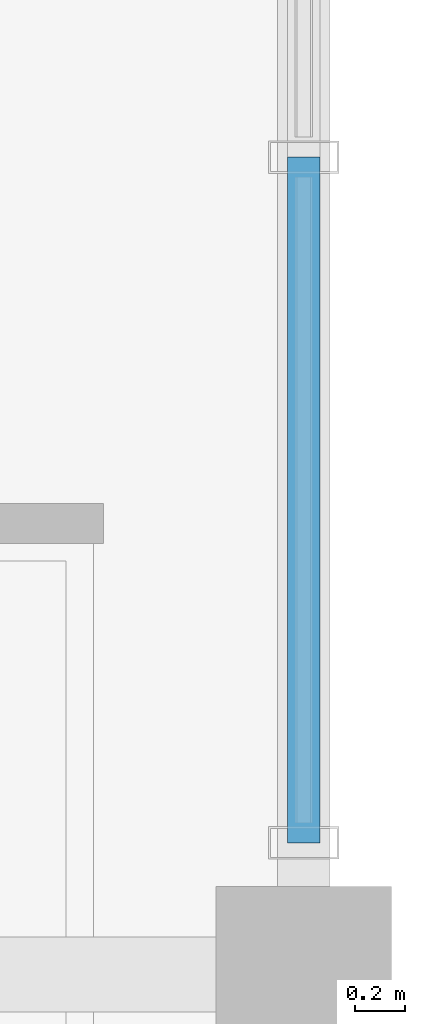
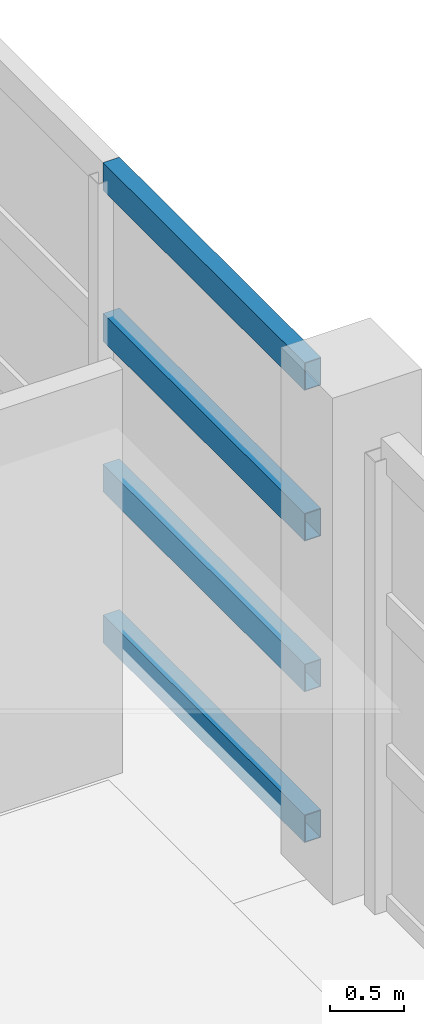
# One storey, part 67 of 136: 4 members, 1 element without a shape of its own.
"""IFC4 building model written with IfcOpenShell, lengths in metres."""

from ifc_helpers import new_model, si_unit, direction, frame, origin, origin_2d, place, context, subcontext, project, spatial, hollow_rectangle, extrude, material, material_profile, profile_set, type_object, element, aggregate, save


model = new_model("IFC4")

# Units and contexts
model_context = context("Model", 3, precision=1e-05, world=origin(), true_north=direction((0.0, 1.0)))
body_context = subcontext(model_context, "Body", "Model", "MODEL_VIEW")
ifc_project = project(units=[si_unit("LENGTHUNIT", "METRE"), si_unit("AREAUNIT", "SQUARE_METRE"), si_unit("VOLUMEUNIT", "CUBIC_METRE"), si_unit("PLANEANGLEUNIT", "RADIAN"), si_unit("MASSUNIT", "GRAM", prefix="KILO")], contexts=[model_context])

# Site, building, storey
site_placement = place(None, origin())
site = spatial("IfcSite", under=ifc_project, at=site_placement, CompositionType="ELEMENT")
building_placement = place(site_placement, origin())
building = spatial("IfcBuilding", under=site, at=building_placement, Name="Chuanluo Vaults Station", CompositionType="ELEMENT")
storey_placement = place(building_placement, frame((0.0, 0.0, 6.60009765625)))
storey = spatial("IfcBuildingStorey", under=building, at=storey_placement, Name="L01", CompositionType="ELEMENT", Elevation=6.60009765625)

# Curtain wall, members
ifc_material_1 = material(Name="Anodised aluminium 6063-T6", Category="aluminium")
curtain_wall_type = type_object("IfcCurtainWallType", Name="CW-SYS-18", PredefinedType="NOTDEFINED", material=ifc_material_1)
curtain_wall_placement = place(storey_placement, origin())
curtain_wall = element("IfcCurtainWall", 1, at=curtain_wall_placement, inside=storey, type_object=curtain_wall_type, Name="Retail pavilion L01 facade CW", PredefinedType="NOTDEFINED")
ifc_material_2 = material(Name="Anodised aluminium 6063-T6", Category="aluminium")
ifc_material_profile = material_profile(ifc_material_2, hollow_rectangle(XDim=0.1298828125, YDim=0.22998046875, WallThickness=0.006103515625, at=origin_2d()))
ifc_profile_set = profile_set([ifc_material_profile], Name="Anodised aluminium 6063-T6")
member_type = type_object("IfcMemberType", Name="CWT-150", PredefinedType="USERDEFINED", material=ifc_profile_set)
member_1_placement = place(storey_placement, frame((188.0, 33.262451171875, 0.0), z_axis=(0.0, -1.0, 0.0), x_axis=(1.0, 0.0, 0.0)))
member_1 = element("IfcMember", 2, at=member_1_placement, type_object=member_type, Name="Retail pavilion L01 facade CW transom 4.1", ObjectType="TRANSOM", PredefinedType="USERDEFINED", context=body_context, shape_type="SweptSolid", body=[
    extrude(hollow_rectangle(XDim=0.1298828125, YDim=0.22998046875, WallThickness=0.006103515625, at=origin_2d()), origin(), (0.0, 0.0, 1.0), 2.737548828125),
])
member_2_placement = place(storey_placement, frame((188.0, 33.262451171875, 1.25), z_axis=(0.0, -1.0, 0.0), x_axis=(1.0, 0.0, 0.0)))
member_2 = element("IfcMember", 3, at=member_2_placement, type_object=member_type, Name="Retail pavilion L01 facade CW transom 4.2", ObjectType="TRANSOM", PredefinedType="USERDEFINED", context=body_context, shape_type="SweptSolid", body=[
    extrude(hollow_rectangle(XDim=0.1298828125, YDim=0.22998046875, WallThickness=0.006103515625, at=origin_2d()), origin(), (0.0, 0.0, 1.0), 2.737548828125),
])
member_3_placement = place(storey_placement, frame((188.0, 33.262451171875, 2.5), z_axis=(0.0, -1.0, 0.0), x_axis=(1.0, 0.0, 0.0)))
member_3 = element("IfcMember", 4, at=member_3_placement, type_object=member_type, Name="Retail pavilion L01 facade CW transom 4.3", ObjectType="TRANSOM", PredefinedType="USERDEFINED", context=body_context, shape_type="SweptSolid", body=[
    extrude(hollow_rectangle(XDim=0.1298828125, YDim=0.22998046875, WallThickness=0.006103515625, at=origin_2d()), origin(), (0.0, 0.0, 1.0), 2.737548828125),
])
member_4_placement = place(storey_placement, frame((188.0, 33.262451171875, 3.75), z_axis=(0.0, -1.0, 0.0), x_axis=(1.0, 0.0, 0.0)))
member_4 = element("IfcMember", 5, at=member_4_placement, type_object=member_type, Name="Retail pavilion L01 facade CW transom 4.4", ObjectType="TRANSOM", PredefinedType="USERDEFINED", context=body_context, shape_type="SweptSolid", body=[
    extrude(hollow_rectangle(XDim=0.1298828125, YDim=0.22998046875, WallThickness=0.006103515625, at=origin_2d()), origin(), (0.0, 0.0, 1.0), 2.737548828125),
])
aggregate(curtain_wall, [member_1, member_2, member_3, member_4])

save(model, "model.ifc")
